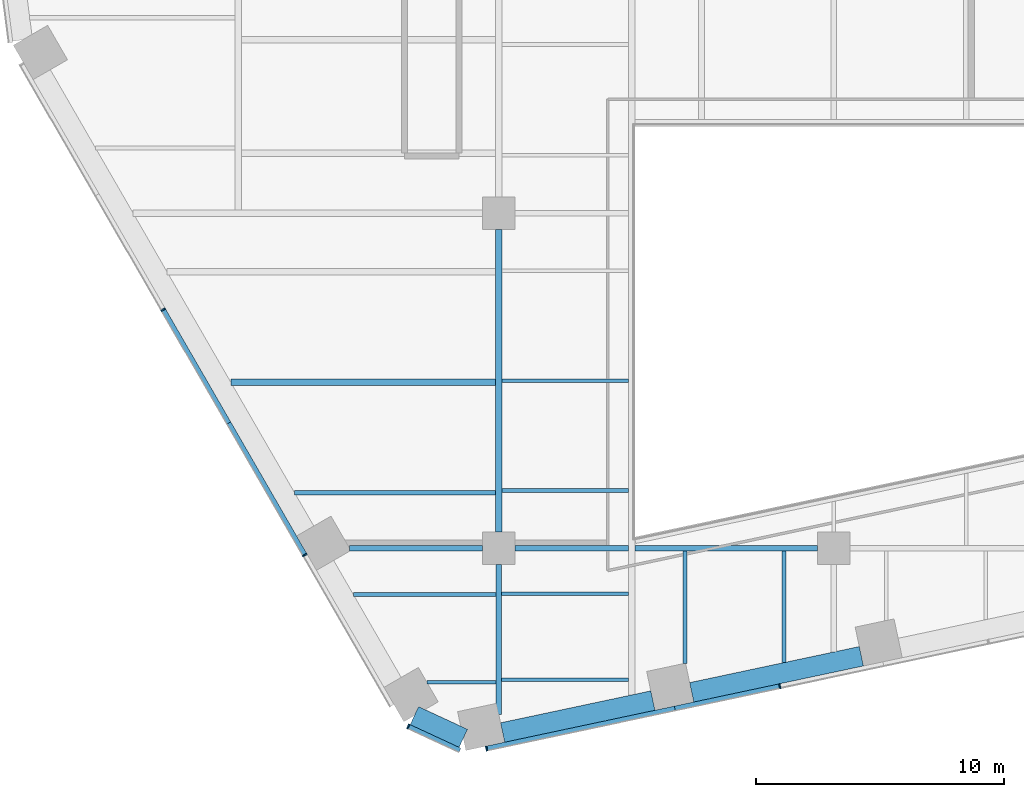
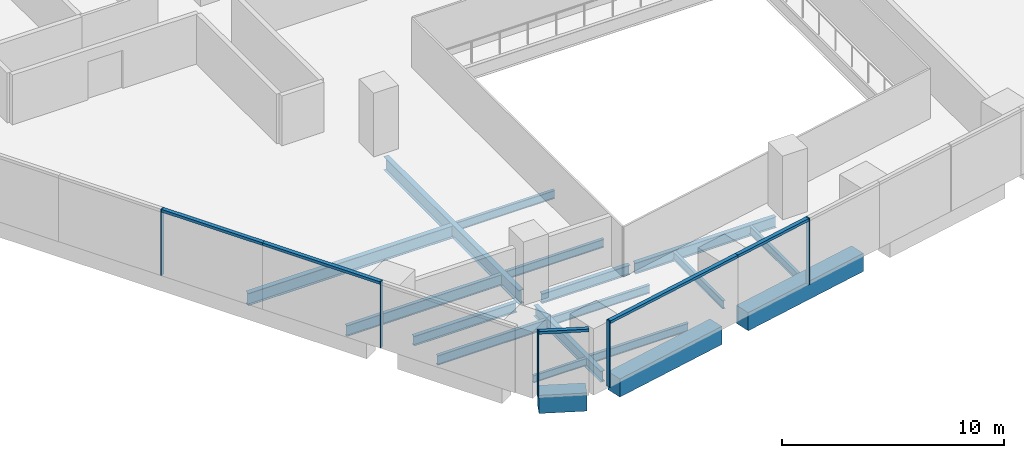
# One storey, part 2 of 21: 18 beams, 10 members, 3 elements without a shape of their own.
"""IFC4 building model written with IfcOpenShell, lengths in metres."""

from ifc_helpers import new_model, si_unit, direction, frame, origin, origin_2d, place, context, subcontext, project, spatial, rectangle, i_section, extrude, material, layer, layer_set, material_profile, profile_set, type_object, element, aggregate, save


model = new_model("IFC4")

# Units and contexts
model_context = context("Model", 3, precision=1e-05, world=origin(), true_north=direction((0.0, 1.0)))
body_context = subcontext(model_context, "Body", "Model", "MODEL_VIEW")
ifc_project = project(units=[si_unit("LENGTHUNIT", "METRE"), si_unit("AREAUNIT", "SQUARE_METRE"), si_unit("VOLUMEUNIT", "CUBIC_METRE"), si_unit("PLANEANGLEUNIT", "RADIAN"), si_unit("MASSUNIT", "GRAM", prefix="KILO")], contexts=[model_context])

# Site, building, storey
site_placement = place(None, origin())
site = spatial("IfcSite", under=ifc_project, at=site_placement, CompositionType="ELEMENT")
building_placement = place(site_placement, origin())
building = spatial("IfcBuilding", under=site, at=building_placement, Name="Isthmus Gate Tower", CompositionType="ELEMENT")
storey_placement = place(building_placement, frame((0.0, 0.0, 102.550048828125)))
storey = spatial("IfcBuildingStorey", under=building, at=storey_placement, Name="L24", CompositionType="ELEMENT", Elevation=102.550048828125)

# Curtain wall, members
ifc_material_1 = material(Name="Aluminium, pale champagne anodised", Category="aluminium")
ifc_layer = layer(ifc_material_1, 0.199951171875)
ifc_layer_set = layer_set([ifc_layer], Name="CW-1 UNITISED CURTAIN WALL 200 DEEP")
curtain_wall_type = type_object("IfcCurtainWallType", Name="CW-1 UNITISED CURTAIN WALL 200 DEEP", PredefinedType="NOTDEFINED", material=ifc_layer_set)
curtain_wall_1_placement = place(storey_placement, origin())
curtain_wall_1 = element("IfcCurtainWall", 1, at=curtain_wall_1_placement, inside=storey, type_object=curtain_wall_type, Name="CW-1 SW L24", PredefinedType="NOTDEFINED")
ifc_material_2 = material(Name="Aluminium, pale champagne anodised", Category="aluminium")
ifc_material_profile_1 = material_profile(ifc_material_2, rectangle(XDim=0.06005859375, YDim=0.199951171875, at=origin_2d()), Name="60x200")
ifc_profile_set_1 = profile_set([ifc_material_profile_1], Name="Aluminium, pale champagne anodised")
member_type_1 = type_object("IfcMemberType", Name="CW-1 MULLION 60 X 200", PredefinedType="MULLION", material=ifc_profile_set_1)
member_1_placement = place(storey_placement, frame((-27.026611328125, -17.388427734375, 0.0), z_axis=(0.0, 0.0, 1.0), x_axis=(0.5, -0.866025403784, 0.0)))
member_1 = element("IfcMember", 2, at=member_1_placement, type_object=member_type_1, Name="CW-1 mullion", PredefinedType="MULLION", context=body_context, shape_type="SweptSolid", body=[
    extrude(rectangle(XDim=0.06005859375, YDim=0.199951171875, at=origin_2d()), origin(), (0.0, 0.0, 1.0), 3.64990234375),
])
member_2_placement = place(storey_placement, frame((-21.318115234375, -27.27587890625, 0.0), z_axis=(0.0, 0.0, 1.0), x_axis=(0.5, -0.866025403784, 0.0)))
member_2 = element("IfcMember", 3, at=member_2_placement, type_object=member_type_1, Name="CW-1 mullion", PredefinedType="MULLION", context=body_context, shape_type="SweptSolid", body=[
    extrude(rectangle(XDim=0.06005859375, YDim=0.199951171875, at=origin_2d()), origin(), (0.0, 0.0, 1.0), 3.64990234375),
])

# Curtain wall, member
curtain_wall_2_placement = place(storey_placement, origin())
curtain_wall_2 = element("IfcCurtainWall", 4, at=curtain_wall_2_placement, inside=storey, type_object=curtain_wall_type, Name="CW-1 SW-S L24", PredefinedType="NOTDEFINED")
member_3_placement = place(storey_placement, frame((-17.14794921875, -34.184814453125, 0.0), z_axis=(0.0, 0.0, 1.0), x_axis=(0.907256261367, -0.420578264073, 0.0)))
member_3 = element("IfcMember", 5, at=member_3_placement, type_object=member_type_1, Name="CW-1 mullion", PredefinedType="MULLION", context=body_context, shape_type="SweptSolid", body=[
    extrude(rectangle(XDim=0.06005859375, YDim=0.199951171875, at=origin_2d()), origin(), (0.0, 0.0, 1.0), 3.64990234375),
])

# Curtain wall, members
curtain_wall_3_placement = place(storey_placement, origin())
curtain_wall_3 = element("IfcCurtainWall", 6, at=curtain_wall_3_placement, inside=storey, type_object=curtain_wall_type, Name="CW-1 S L24", PredefinedType="NOTDEFINED")
member_4_placement = place(storey_placement, frame((-13.992919921875, -35.076416015625, 0.0), z_axis=(0.0, 0.0, 1.0), x_axis=(0.978147600734, 0.207911690818, 0.0)))
member_4 = element("IfcMember", 7, at=member_4_placement, type_object=member_type_1, Name="CW-1 mullion", PredefinedType="MULLION", context=body_context, shape_type="SweptSolid", body=[
    extrude(rectangle(XDim=0.06005859375, YDim=0.199951171875, at=origin_2d()), origin(), (0.0, 0.0, 1.0), 3.64990234375),
])
member_5_placement = place(storey_placement, frame((-2.1728515625, -32.564208984375, 0.0), z_axis=(0.0, 0.0, 1.0), x_axis=(0.978147600734, 0.207911690818, 0.0)))
member_5 = element("IfcMember", 8, at=member_5_placement, type_object=member_type_1, Name="CW-1 mullion", PredefinedType="MULLION", context=body_context, shape_type="SweptSolid", body=[
    extrude(rectangle(XDim=0.06005859375, YDim=0.199951171875, at=origin_2d()), origin(), (0.0, 0.0, 1.0), 3.64990234375),
])

# Member
ifc_material_3 = material(Name="Aluminium, pale champagne anodised", Category="aluminium")
ifc_material_profile_2 = material_profile(ifc_material_3, rectangle(XDim=0.199951171875, YDim=0.14990234375, at=origin_2d()), Name="200x150")
ifc_profile_set_2 = profile_set([ifc_material_profile_2], Name="Aluminium, pale champagne anodised")
member_type_2 = type_object("IfcMemberType", Name="CW-1 TRANSOM 200 X 150", PredefinedType="USERDEFINED", material=ifc_profile_set_2)
member_6_placement = place(storey_placement, frame((-27.01171875, -17.414306640625, 3.574951171875), z_axis=(0.499996256241, -0.866027565234, 0.0), x_axis=(0.866027565234, 0.499996256241, 0.0)))
member_6 = element("IfcMember", 9, at=member_6_placement, type_object=member_type_2, Name="CW-1 transom", ObjectType="TRANSOM", PredefinedType="USERDEFINED", context=body_context, shape_type="SweptSolid", body=[
    extrude(rectangle(XDim=0.199951171875, YDim=0.14990234375, at=origin_2d()), origin(), (0.0, 0.0, 1.0), 5.24853515625),
])

member_7_placement = place(storey_placement, frame((-24.387451171875, -21.959716796875, 3.574951171875), z_axis=(0.500011900272, -0.86601853305, 0.0), x_axis=(0.86601853305, 0.500011900272, 0.0)))
member_7 = element("IfcMember", 10, at=member_7_placement, type_object=member_type_2, Name="CW-1 transom", ObjectType="TRANSOM", PredefinedType="USERDEFINED", context=body_context, shape_type="SweptSolid", body=[
    extrude(rectangle(XDim=0.199951171875, YDim=0.14990234375, at=origin_2d()), origin(), (0.0, 0.0, 1.0), 6.108642578125),
])

aggregate(curtain_wall_1, [member_1, member_6, member_7, member_2])

member_8_placement = place(storey_placement, frame((-17.120849609375, -34.197509765625, 3.574951171875), z_axis=(0.907246225564, -0.420599912268, 0.0), x_axis=(0.420599912268, 0.907246225564, 0.0)))
member_8 = element("IfcMember", 11, at=member_8_placement, type_object=member_type_2, Name="CW-1 transom", ObjectType="TRANSOM", PredefinedType="USERDEFINED", context=body_context, shape_type="SweptSolid", body=[
    extrude(rectangle(XDim=0.199951171875, YDim=0.14990234375, at=origin_2d()), origin(), (0.0, 0.0, 1.0), 2.258544921875),
])

aggregate(curtain_wall_2, [member_3, member_8])

member_9_placement = place(storey_placement, frame((-13.963623046875, -35.0703125, 3.574951171875), z_axis=(0.97815050153, 0.207898043176, 0.0), x_axis=(-0.207898043176, 0.97815050153, 0.0)))
member_9 = element("IfcMember", 12, at=member_9_placement, type_object=member_type_2, Name="CW-1 transom", ObjectType="TRANSOM", PredefinedType="USERDEFINED", context=body_context, shape_type="SweptSolid", body=[
    extrude(rectangle(XDim=0.199951171875, YDim=0.14990234375, at=origin_2d()), origin(), (0.0, 0.0, 1.0), 7.7294921875),
])

member_10_placement = place(storey_placement, frame((-6.403076171875, -33.46337890625, 3.574951171875), z_axis=(0.97813890815, 0.207952582007, 0.0), x_axis=(-0.207952582007, 0.97813890815, 0.0)))
member_10 = element("IfcMember", 13, at=member_10_placement, type_object=member_type_2, Name="CW-1 transom", ObjectType="TRANSOM", PredefinedType="USERDEFINED", context=body_context, shape_type="SweptSolid", body=[
    extrude(rectangle(XDim=0.199951171875, YDim=0.14990234375, at=origin_2d()), origin(), (0.0, 0.0, 1.0), 4.294677734375),
])

aggregate(curtain_wall_3, [member_4, member_9, member_10, member_5])

# Beams
ifc_material_4 = material(Name="Concrete f'c 70 MPa", Category="concrete")
ifc_material_profile_3 = material_profile(ifc_material_4, rectangle(XDim=0.800048828125, YDim=1.0, at=origin_2d()), Name="RC 800X1000")
ifc_profile_set_3 = profile_set([ifc_material_profile_3], Name="Concrete f'c 70 MPa")
beam_type_1 = type_object("IfcBeamType", Name="RC SPANDREL 800 X 1000", PredefinedType="SPANDREL", material=ifc_profile_set_3)
beam_1_placement = place(storey_placement, frame((1.112060546875, -31.354736328125, -0.5), z_axis=(-0.978149173437, -0.207904291694, 0.0), x_axis=(0.207904291694, -0.978149173437, 0.0)))
element("IfcBeam", 14, at=beam_1_placement, inside=storey, type_object=beam_type_1, Name="str-spandrel-L24-12", PredefinedType="SPANDREL", context=body_context, shape_type="SweptSolid", body=[
    extrude(rectangle(XDim=0.800048828125, YDim=1.0, at=origin_2d()), origin(), (0.0, 0.0, 1.0), 6.989501953125),
])
beam_2_placement = place(storey_placement, frame((-7.28955078125, -33.140625, -0.5), z_axis=(-0.978155442329, -0.207874795591, 0.0), x_axis=(0.207874795591, -0.978155442329, 0.0)))
element("IfcBeam", 15, at=beam_2_placement, inside=storey, type_object=beam_type_1, Name="str-spandrel-L24-13", PredefinedType="SPANDREL", context=body_context, shape_type="SweptSolid", body=[
    extrude(rectangle(XDim=0.800048828125, YDim=1.0, at=origin_2d()), origin(), (0.0, 0.0, 1.0), 6.189453125),
])
beam_3_placement = place(storey_placement, frame((-14.929443359375, -34.662109375, -0.5), z_axis=(-0.907290744498, 0.420503870314, 0.0), x_axis=(-0.420503870314, -0.907290744498, 0.0)))
element("IfcBeam", 16, at=beam_3_placement, inside=storey, type_object=beam_type_1, Name="str-spandrel-L24-14", PredefinedType="SPANDREL", context=body_context, shape_type="SweptSolid", body=[
    extrude(rectangle(XDim=0.800048828125, YDim=1.0, at=origin_2d()), origin(), (0.0, 0.0, 1.0), 2.173095703125),
])
ifc_material_5 = material(Name="Structural steel ASTM A992 Gr 50", Category="steel")
ifc_material_profile_4 = material_profile(ifc_material_5, i_section(OverallWidth=0.1396484375, OverallDepth=0.4033203125, WebThickness=0.00634765625, FlangeThickness=0.010986328125, at=origin_2d()), Name="W16X31")
ifc_profile_set_4 = profile_set([ifc_material_profile_4], Name="Structural steel ASTM A992 Gr 50")
beam_type_2 = type_object("IfcBeamType", Name="STEEL FLOOR BEAM W16X31", PredefinedType="JOIST", material=ifc_profile_set_4)
beam_4_placement = place(storey_placement, frame((-16.393310546875, -32.406005859375, -0.3515625), z_axis=(1.0, 0.0, 0.0), x_axis=(0.0, 1.0, 0.0)))
element("IfcBeam", 17, at=beam_4_placement, inside=storey, type_object=beam_type_2, Name="str-beam-L24-10-00", PredefinedType="JOIST", context=body_context, shape_type="SweptSolid", body=[
    extrude(i_section(OverallWidth=0.1396484375, OverallDepth=0.4033203125, WebThickness=0.00634765625, FlangeThickness=0.010986328125, at=origin_2d()), origin(), (0.0, 0.0, 1.0), 2.779052734375),
])
ifc_material_6 = material(Name="Structural steel ASTM A992 Gr 50", Category="steel")
ifc_material_profile_5 = material_profile(ifc_material_6, i_section(OverallWidth=0.15234375, OverallDepth=0.45068359375, WebThickness=0.0078125, FlangeThickness=0.010986328125, at=origin_2d()), Name="W18X35")
ifc_profile_set_5 = profile_set([ifc_material_profile_5], Name="Structural steel ASTM A992 Gr 50")
beam_type_3 = type_object("IfcBeamType", Name="STEEL FLOOR BEAM W18X35", PredefinedType="JOIST", material=ifc_profile_set_5)
for number, where, z_axis, x_axis, name in (
    (18, (-13.3857421875, -32.30322265625, -0.37548828125), (1.0, 0.0, 0.0), (0.0, 1.0, 0.0), "str-beam-L24-11-00"),
    (19, (-13.3857421875, -28.837646484375, -0.37548828125), (1.0, 0.0, 0.0), (0.0, 1.0, 0.0), "str-beam-L24-11-01"),
):
    element("IfcBeam", number, at=place(storey_placement, frame(where, z_axis=z_axis, x_axis=x_axis)), inside=storey, type_object=beam_type_3, Name=name, PredefinedType="JOIST", context=body_context, shape_type="SweptSolid", body=[
        extrude(i_section(OverallWidth=0.15234375, OverallDepth=0.45068359375, WebThickness=0.0078125, FlangeThickness=0.010986328125, at=origin_2d()), origin(), (0.0, 0.0, 1.0), 5.119140625),
    ])
for number, where, z_axis, x_axis, name in (
    (20, (-13.3681640625, -24.68017578125, -0.37548828125), (1.0, 0.0, 0.0), (0.0, 1.0, 0.0), "str-beam-L24-13-00"),
    (21, (-13.3681640625, -20.25, -0.37548828125), (1.0, 0.0, 0.0), (0.0, 1.0, 0.0), "str-beam-L24-13-01"),
):
    element("IfcBeam", number, at=place(storey_placement, frame(where, z_axis=z_axis, x_axis=x_axis)), inside=storey, type_object=beam_type_3, Name=name, PredefinedType="JOIST", context=body_context, shape_type="SweptSolid", body=[
        extrude(i_section(OverallWidth=0.15234375, OverallDepth=0.45068359375, WebThickness=0.0078125, FlangeThickness=0.010986328125, at=origin_2d()), origin(), (0.0, 0.0, 1.0), 5.1015625),
    ])
beam_5_placement = place(storey_placement, frame((-6.0, -31.6396484375, -0.37548828125), z_axis=(0.0, 1.0, 0.0), x_axis=(-1.0, 0.0, 0.0)))
element("IfcBeam", 22, at=beam_5_placement, inside=storey, type_object=beam_type_3, Name="str-beam-L24-16-00", PredefinedType="JOIST", context=body_context, shape_type="SweptSolid", body=[
    extrude(i_section(OverallWidth=0.15234375, OverallDepth=0.45068359375, WebThickness=0.0078125, FlangeThickness=0.010986328125, at=origin_2d()), origin(), (0.0, 0.0, 1.0), 4.525390625),
])
beam_6_placement = place(storey_placement, frame((-2.0, -31.607177734375, -0.37548828125), z_axis=(0.0, 1.0, 0.0), x_axis=(-1.0, 0.0, 0.0)))
element("IfcBeam", 23, at=beam_6_placement, inside=storey, type_object=beam_type_3, Name="str-beam-L24-16-01", PredefinedType="JOIST", context=body_context, shape_type="SweptSolid", body=[
    extrude(i_section(OverallWidth=0.15234375, OverallDepth=0.45068359375, WebThickness=0.0078125, FlangeThickness=0.010986328125, at=origin_2d()), origin(), (0.0, 0.0, 1.0), 4.492919921875),
])
ifc_material_7 = material(Name="Structural steel ASTM A992 Gr 50", Category="steel")
ifc_material_profile_6 = material_profile(ifc_material_7, i_section(OverallWidth=0.1650390625, OverallDepth=0.52392578125, WebThickness=0.009521484375, FlangeThickness=0.010986328125, at=origin_2d()), Name="W21X44")
ifc_profile_set_6 = profile_set([ifc_material_profile_6], Name="Structural steel ASTM A992 Gr 50")
beam_type_4 = type_object("IfcBeamType", Name="STEEL FLOOR BEAM W21X44", PredefinedType="JOIST", material=ifc_profile_set_6)
beam_7_placement = place(storey_placement, frame((-19.357421875, -28.871826171875, -0.412109375), z_axis=(1.0, 0.0, 0.0), x_axis=(0.0, 1.0, 0.0)))
element("IfcBeam", 24, at=beam_7_placement, inside=storey, type_object=beam_type_4, Name="str-beam-L24-10-01", PredefinedType="JOIST", context=body_context, shape_type="SweptSolid", body=[
    extrude(i_section(OverallWidth=0.1650390625, OverallDepth=0.52392578125, WebThickness=0.009521484375, FlangeThickness=0.010986328125, at=origin_2d()), origin(), (0.0, 0.0, 1.0), 5.7431640625),
])
ifc_material_8 = material(Name="Structural steel ASTM A992 Gr 50", Category="steel")
ifc_material_profile_7 = material_profile(ifc_material_8, i_section(OverallWidth=0.177734375, OverallDepth=0.60009765625, WebThickness=0.009521484375, FlangeThickness=0.0126953125, at=origin_2d()), Name="W24X55")
ifc_profile_set_7 = profile_set([ifc_material_profile_7], Name="Structural steel ASTM A992 Gr 50")
beam_type_5 = type_object("IfcBeamType", Name="STEEL FLOOR BEAM W24X55", PredefinedType="JOIST", material=ifc_profile_set_7)
beam_8_placement = place(storey_placement, frame((-21.724365234375, -24.772216796875, -0.4501953125), z_axis=(1.0, 0.0, 0.0), x_axis=(0.0, 1.0, 0.0)))
element("IfcBeam", 25, at=beam_8_placement, inside=storey, type_object=beam_type_5, Name="str-beam-L24-06-00", PredefinedType="JOIST", context=body_context, shape_type="SweptSolid", body=[
    extrude(i_section(OverallWidth=0.177734375, OverallDepth=0.60009765625, WebThickness=0.009521484375, FlangeThickness=0.0126953125, at=origin_2d()), origin(), (0.0, 0.0, 1.0), 8.092529296875),
])
ifc_material_9 = material(Name="Structural steel ASTM A992 Gr 50", Category="steel")
ifc_material_profile_8 = material_profile(ifc_material_9, i_section(OverallWidth=0.25390625, OverallDepth=0.679443359375, WebThickness=0.010986328125, FlangeThickness=0.015869140625, at=origin_2d()), Name="W27X84")
ifc_profile_set_8 = profile_set([ifc_material_profile_8], Name="Structural steel ASTM A992 Gr 50")
beam_type_6 = type_object("IfcBeamType", Name="STEEL FLOOR BEAM W27X84", PredefinedType="JOIST", material=ifc_profile_set_8)
beam_9_placement = place(storey_placement, frame((-24.296875, -20.316650390625, -0.48974609375), z_axis=(1.0, 0.0, 0.0), x_axis=(0.0, 1.0, 0.0)))
element("IfcBeam", 26, at=beam_9_placement, inside=storey, type_object=beam_type_6, Name="str-beam-L24-06-01", PredefinedType="JOIST", context=body_context, shape_type="SweptSolid", body=[
    extrude(i_section(OverallWidth=0.25390625, OverallDepth=0.679443359375, WebThickness=0.010986328125, FlangeThickness=0.015869140625, at=origin_2d()), origin(), (0.0, 0.0, 1.0), 10.6650390625),
])
ifc_material_10 = material(Name="Structural steel ASTM A992 Gr 50", Category="steel")
ifc_material_profile_9 = material_profile(ifc_material_10, i_section(OverallWidth=0.20947265625, OverallDepth=0.533447265625, WebThickness=0.009521484375, FlangeThickness=0.015869140625, at=origin_2d()), Name="W21X62")
ifc_profile_set_9 = profile_set([ifc_material_profile_9], Name="Structural steel ASTM A992 Gr 50")
beam_type_7 = type_object("IfcBeamType", Name="STEEL GIRDER W21X62", PredefinedType="BEAM", material=ifc_profile_set_9)
beam_10_placement = place(storey_placement, frame((-19.514404296875, -27.0, -0.416748046875), z_axis=(1.0, 0.0, 0.0), x_axis=(0.0, 1.0, 0.0)))
element("IfcBeam", 27, at=beam_10_placement, inside=storey, type_object=beam_type_7, Name="str-girder-L24-01", PredefinedType="BEAM", context=body_context, shape_type="SweptSolid", body=[
    extrude(i_section(OverallWidth=0.20947265625, OverallDepth=0.533447265625, WebThickness=0.009521484375, FlangeThickness=0.015869140625, at=origin_2d()), origin(), (0.0, 0.0, 1.0), 5.364501953125),
])
beam_11_placement = place(storey_placement, frame((-12.85009765625, -27.0, -0.416748046875), z_axis=(1.0, 0.0, 0.0), x_axis=(0.0, 1.0, 0.0)))
element("IfcBeam", 28, at=beam_11_placement, inside=storey, type_object=beam_type_7, Name="str-girder-L24-02", PredefinedType="BEAM", context=body_context, shape_type="SweptSolid", body=[
    extrude(i_section(OverallWidth=0.20947265625, OverallDepth=0.533447265625, WebThickness=0.009521484375, FlangeThickness=0.015869140625, at=origin_2d()), origin(), (0.0, 0.0, 1.0), 4.58349609375),
])
ifc_material_11 = material(Name="Structural steel ASTM A992 Gr 50", Category="steel")
ifc_material_profile_10 = material_profile(ifc_material_11, i_section(OverallWidth=0.228515625, OverallDepth=0.603271484375, WebThickness=0.010986328125, FlangeThickness=0.014404296875, at=origin_2d()), Name="W24X68")
ifc_profile_set_10 = profile_set([ifc_material_profile_10], Name="Structural steel ASTM A992 Gr 50")
beam_type_8 = type_object("IfcBeamType", Name="STEEL GIRDER W24X68", PredefinedType="BEAM", material=ifc_profile_set_10)
beam_12_placement = place(storey_placement, frame((-8.0, -27.0, -0.45166015625), z_axis=(1.0, 0.0, 0.0), x_axis=(0.0, 1.0, 0.0)))
element("IfcBeam", 29, at=beam_12_placement, inside=storey, type_object=beam_type_8, Name="str-girder-L24-03", PredefinedType="BEAM", context=body_context, shape_type="SweptSolid", body=[
    extrude(i_section(OverallWidth=0.228515625, OverallDepth=0.603271484375, WebThickness=0.010986328125, FlangeThickness=0.014404296875, at=origin_2d()), origin(), (0.0, 0.0, 1.0), 7.35009765625),
])
beam_13_placement = place(storey_placement, frame((-13.5, -33.69189453125, -0.45166015625), z_axis=(0.0, 1.0, 0.0), x_axis=(-1.0, 0.0, 0.0)))
element("IfcBeam", 30, at=beam_13_placement, inside=storey, type_object=beam_type_8, Name="str-girder-L24-24", PredefinedType="BEAM", context=body_context, shape_type="SweptSolid", body=[
    extrude(i_section(OverallWidth=0.228515625, OverallDepth=0.603271484375, WebThickness=0.010986328125, FlangeThickness=0.014404296875, at=origin_2d()), origin(), (0.0, 0.0, 1.0), 6.0419921875),
])
ifc_material_12 = material(Name="Structural steel ASTM A992 Gr 50", Category="steel")
ifc_material_profile_11 = material_profile(ifc_material_12, i_section(OverallWidth=0.263427734375, OverallDepth=0.749267578125, WebThickness=0.0126953125, FlangeThickness=0.015869140625, at=origin_2d()), Name="W30X90")
ifc_profile_set_11 = profile_set([ifc_material_profile_11], Name="Structural steel ASTM A992 Gr 50")
beam_type_9 = type_object("IfcBeamType", Name="STEEL GIRDER W30X90", PredefinedType="BEAM", material=ifc_profile_set_11)
beam_14_placement = place(storey_placement, frame((-13.5, -26.35009765625, -0.524658203125), z_axis=(0.0, 1.0, 0.0), x_axis=(-1.0, 0.0, 0.0)))
element("IfcBeam", 31, at=beam_14_placement, inside=storey, type_object=beam_type_9, Name="str-girder-L24-25", PredefinedType="BEAM", context=body_context, shape_type="SweptSolid", body=[
    extrude(i_section(OverallWidth=0.263427734375, OverallDepth=0.749267578125, WebThickness=0.0126953125, FlangeThickness=0.015869140625, at=origin_2d()), origin(), (0.0, 0.0, 1.0), 12.2001953125),
])

save(model, "model.ifc")
